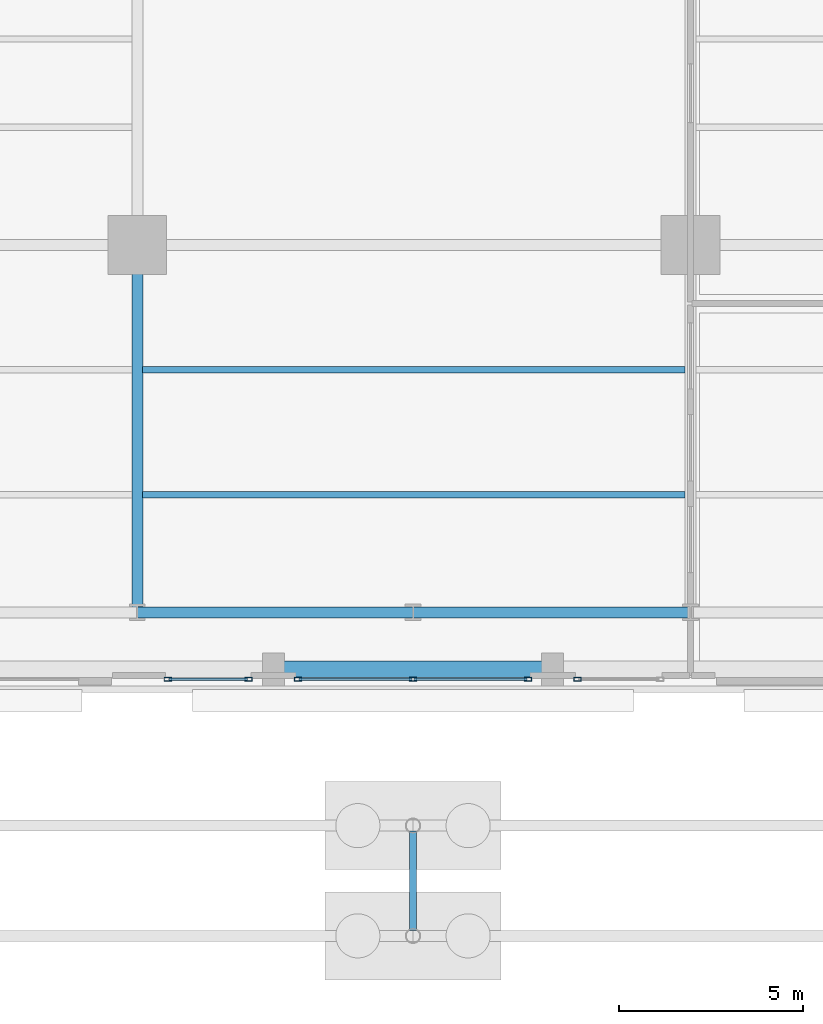
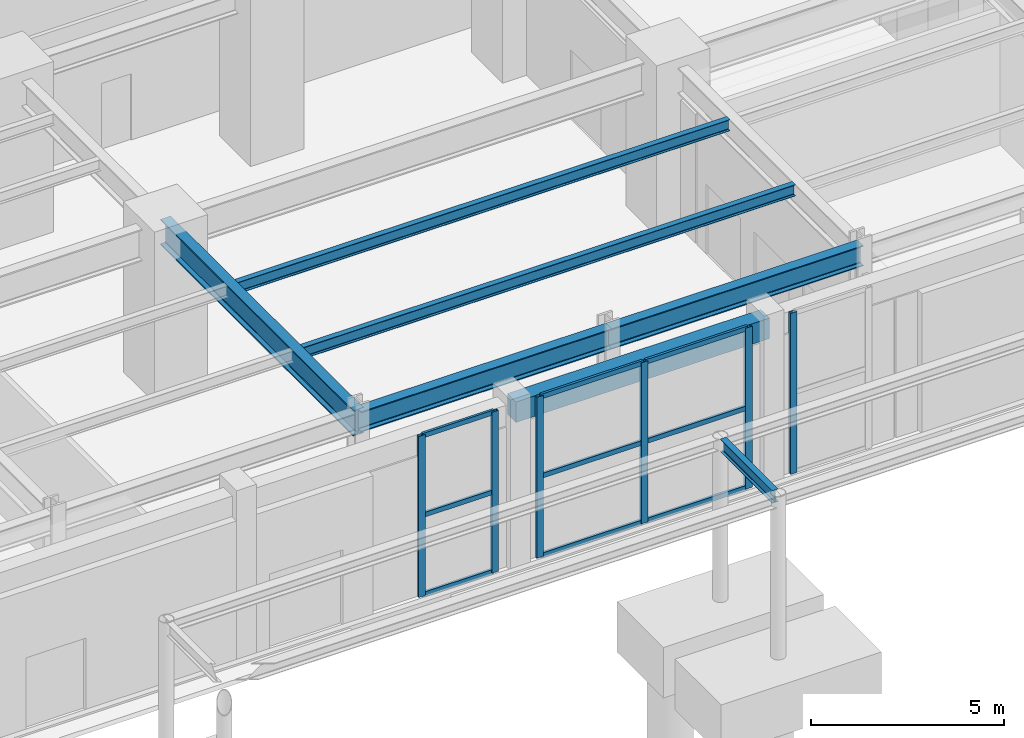
# One storey, part 8 of 21: 15 members, 7 beams, 3 elements without a shape of their own.
"""IFC4 building model written with IfcOpenShell, lengths in metres."""

from ifc_helpers import new_model, si_unit, direction, frame, origin, origin_2d, place, context, subcontext, project, spatial, rectangle, hollow_rectangle, i_section, extrude, material, layer, layer_set, material_profile, profile_set, type_object, element, aggregate, save


model = new_model("IFC4")

# Units and contexts
model_context = context("Model", 3, precision=1e-05, world=origin(), true_north=direction((0.0, 1.0)))
body_context = subcontext(model_context, "Body", "Model", "MODEL_VIEW")
ifc_project = project(units=[si_unit("LENGTHUNIT", "METRE"), si_unit("AREAUNIT", "SQUARE_METRE"), si_unit("VOLUMEUNIT", "CUBIC_METRE"), si_unit("PLANEANGLEUNIT", "RADIAN"), si_unit("MASSUNIT", "GRAM", prefix="KILO")], contexts=[model_context])

# Site, building, storey
site_placement = place(None, origin())
site = spatial("IfcSite", under=ifc_project, at=site_placement, CompositionType="ELEMENT")
building_placement = place(site_placement, origin())
building = spatial("IfcBuilding", under=site, at=building_placement, Name="Zarnavel Station Tower", CompositionType="ELEMENT")
storey_placement = place(building_placement, origin())
storey = spatial("IfcBuildingStorey", under=building, at=storey_placement, Name="L01", CompositionType="ELEMENT", Elevation=0.0)

# Curtain wall, members
ifc_material_1 = material(Name="Aluminium Dark Anodised and Solar-Control Glass", Category="aluminium")
ifc_layer = layer(ifc_material_1, 0.179931640625)
ifc_layer_set = layer_set([ifc_layer], Name="CWS1")
curtain_wall_type = type_object("IfcCurtainWallType", Name="CWS1", PredefinedType="NOTDEFINED", material=ifc_layer_set)
curtain_wall_1_placement = place(storey_placement, origin())
curtain_wall_1 = element("IfcCurtainWall", 1, at=curtain_wall_1_placement, inside=storey, type_object=curtain_wall_type, Name="L01 Curtain Wall CWS1-L01-S-S1", PredefinedType="NOTDEFINED")
ifc_material_2 = material(Name="Steel S355J2 (Black Fluoropolymer Coated)", Category="steel")
ifc_material_profile_1 = material_profile(ifc_material_2, hollow_rectangle(XDim=0.10009765625, YDim=0.199951171875, WallThickness=0.008056640625, at=origin_2d()), Name="RHS200x100x8")
ifc_profile_set_1 = profile_set([ifc_material_profile_1], Name="Steel S355J2 (Black Fluoropolymer Coated)")
member_type_1 = type_object("IfcMemberType", Name="CWS1_MUL", PredefinedType="MULLION", material=ifc_profile_set_1)
member_1_placement = place(storey_placement, frame((22.1298828125, 3.780029296875, 0.0), z_axis=(0.0, 0.0, 1.0), x_axis=(0.0, 1.0, 0.0)))
member_1 = element("IfcMember", 2, at=member_1_placement, type_object=member_type_1, Name="CW1 mullion 1", PredefinedType="MULLION", context=body_context, shape_type="SweptSolid", body=[
    extrude(hollow_rectangle(XDim=0.10009765625, YDim=0.199951171875, WallThickness=0.008056640625, at=origin_2d()), origin(), (0.0, 0.0, 1.0), 5.10009765625),
])
member_2_placement = place(storey_placement, frame((24.325927734375, 3.780029296875, 0.0), z_axis=(0.0, 0.0, 1.0), x_axis=(0.0, 1.0, 0.0)))
member_2 = element("IfcMember", 3, at=member_2_placement, type_object=member_type_1, Name="CW1 mullion 2", PredefinedType="MULLION", context=body_context, shape_type="SweptSolid", body=[
    extrude(hollow_rectangle(XDim=0.10009765625, YDim=0.199951171875, WallThickness=0.008056640625, at=origin_2d()), origin(), (0.0, 0.0, 1.0), 5.10009765625),
])

curtain_wall_2_placement = place(storey_placement, origin())
curtain_wall_2 = element("IfcCurtainWall", 4, at=curtain_wall_2_placement, inside=storey, type_object=curtain_wall_type, Name="L01 Curtain Wall CWS1-L01-S-S2", PredefinedType="NOTDEFINED")
member_3_placement = place(storey_placement, frame((25.674072265625, 3.780029296875, 0.0), z_axis=(0.0, 0.0, 1.0), x_axis=(0.0, 1.0, 0.0)))
member_3 = element("IfcMember", 5, at=member_3_placement, type_object=member_type_1, Name="CW1 mullion 1", PredefinedType="MULLION", context=body_context, shape_type="SweptSolid", body=[
    extrude(hollow_rectangle(XDim=0.10009765625, YDim=0.199951171875, WallThickness=0.008056640625, at=origin_2d()), origin(), (0.0, 0.0, 1.0), 5.10009765625),
])
member_4_placement = place(storey_placement, frame((28.800048828125, 3.780029296875, 0.0), z_axis=(0.0, 0.0, 1.0), x_axis=(0.0, 1.0, 0.0)))
member_4 = element("IfcMember", 6, at=member_4_placement, type_object=member_type_1, Name="CW1 mullion 2", PredefinedType="MULLION", context=body_context, shape_type="SweptSolid", body=[
    extrude(hollow_rectangle(XDim=0.10009765625, YDim=0.199951171875, WallThickness=0.008056640625, at=origin_2d()), origin(), (0.0, 0.0, 1.0), 5.10009765625),
])
member_5_placement = place(storey_placement, frame((31.926025390625, 3.780029296875, 0.0), z_axis=(0.0, 0.0, 1.0), x_axis=(0.0, 1.0, 0.0)))
member_5 = element("IfcMember", 7, at=member_5_placement, type_object=member_type_1, Name="CW1 mullion 3", PredefinedType="MULLION", context=body_context, shape_type="SweptSolid", body=[
    extrude(hollow_rectangle(XDim=0.10009765625, YDim=0.199951171875, WallThickness=0.008056640625, at=origin_2d()), origin(), (0.0, 0.0, 1.0), 5.10009765625),
])

# Curtain wall, member
curtain_wall_3_placement = place(storey_placement, origin())
curtain_wall_3 = element("IfcCurtainWall", 8, at=curtain_wall_3_placement, inside=storey, type_object=curtain_wall_type, Name="L01 Curtain Wall CWS1-L01-S-S3", PredefinedType="NOTDEFINED")
member_6_placement = place(storey_placement, frame((33.27392578125, 3.780029296875, 0.0), z_axis=(0.0, 0.0, 1.0), x_axis=(0.0, 1.0, 0.0)))
member_6 = element("IfcMember", 9, at=member_6_placement, type_object=member_type_1, Name="CW1 mullion 1", PredefinedType="MULLION", context=body_context, shape_type="SweptSolid", body=[
    extrude(hollow_rectangle(XDim=0.10009765625, YDim=0.199951171875, WallThickness=0.008056640625, at=origin_2d()), origin(), (0.0, 0.0, 1.0), 5.10009765625),
])
aggregate(curtain_wall_3, [member_6])

# Member
ifc_material_3 = material(Name="Steel S355J2 (Black Fluoropolymer Coated)", Category="steel")
ifc_material_profile_2 = material_profile(ifc_material_3, hollow_rectangle(XDim=0.074951171875, YDim=0.14990234375, WallThickness=0.00634765625, at=origin_2d()), Name="RHS150x75x6.3")
ifc_profile_set_2 = profile_set([ifc_material_profile_2], Name="Steel S355J2 (Black Fluoropolymer Coated)")
member_type_2 = type_object("IfcMemberType", Name="CWS1_TRN", PredefinedType="USERDEFINED", material=ifc_profile_set_2)
member_7_placement = place(storey_placement, frame((22.159912109375, 3.780029296875, 0.030029296875), z_axis=(1.0, 0.0, 0.0), x_axis=(0.0, 1.0, 0.0)))
member_7 = element("IfcMember", 10, at=member_7_placement, type_object=member_type_2, Name="CW1 transom 1.1", ObjectType="TRANSOM", PredefinedType="USERDEFINED", context=body_context, shape_type="SweptSolid", body=[
    extrude(hollow_rectangle(XDim=0.074951171875, YDim=0.14990234375, WallThickness=0.00634765625, at=origin_2d()), origin(), (0.0, 0.0, 1.0), 2.135986328125),
])

member_8_placement = place(storey_placement, frame((22.159912109375, 3.780029296875, 2.550048828125), z_axis=(1.0, 0.0, 0.0), x_axis=(0.0, 1.0, 0.0)))
member_8 = element("IfcMember", 11, at=member_8_placement, type_object=member_type_2, Name="CW1 transom 1.2", ObjectType="TRANSOM", PredefinedType="USERDEFINED", context=body_context, shape_type="SweptSolid", body=[
    extrude(hollow_rectangle(XDim=0.074951171875, YDim=0.14990234375, WallThickness=0.00634765625, at=origin_2d()), origin(), (0.0, 0.0, 1.0), 2.135986328125),
])

member_9_placement = place(storey_placement, frame((22.159912109375, 3.780029296875, 5.070068359375), z_axis=(1.0, 0.0, 0.0), x_axis=(0.0, 1.0, 0.0)))
member_9 = element("IfcMember", 12, at=member_9_placement, type_object=member_type_2, Name="CW1 transom 1.3", ObjectType="TRANSOM", PredefinedType="USERDEFINED", context=body_context, shape_type="SweptSolid", body=[
    extrude(hollow_rectangle(XDim=0.074951171875, YDim=0.14990234375, WallThickness=0.00634765625, at=origin_2d()), origin(), (0.0, 0.0, 1.0), 2.135986328125),
])

aggregate(curtain_wall_1, [member_1, member_2, member_7, member_8, member_9])

member_10_placement = place(storey_placement, frame((25.7041015625, 3.780029296875, 0.030029296875), z_axis=(1.0, 0.0, 0.0), x_axis=(0.0, 1.0, 0.0)))
member_10 = element("IfcMember", 13, at=member_10_placement, type_object=member_type_2, Name="CW1 transom 1.1", ObjectType="TRANSOM", PredefinedType="USERDEFINED", context=body_context, shape_type="SweptSolid", body=[
    extrude(hollow_rectangle(XDim=0.074951171875, YDim=0.14990234375, WallThickness=0.00634765625, at=origin_2d()), origin(), (0.0, 0.0, 1.0), 3.06591796875),
])

member_11_placement = place(storey_placement, frame((25.7041015625, 3.780029296875, 2.550048828125), z_axis=(1.0, 0.0, 0.0), x_axis=(0.0, 1.0, 0.0)))
member_11 = element("IfcMember", 14, at=member_11_placement, type_object=member_type_2, Name="CW1 transom 1.2", ObjectType="TRANSOM", PredefinedType="USERDEFINED", context=body_context, shape_type="SweptSolid", body=[
    extrude(hollow_rectangle(XDim=0.074951171875, YDim=0.14990234375, WallThickness=0.00634765625, at=origin_2d()), origin(), (0.0, 0.0, 1.0), 3.06591796875),
])

member_12_placement = place(storey_placement, frame((25.7041015625, 3.780029296875, 5.070068359375), z_axis=(1.0, 0.0, 0.0), x_axis=(0.0, 1.0, 0.0)))
member_12 = element("IfcMember", 15, at=member_12_placement, type_object=member_type_2, Name="CW1 transom 1.3", ObjectType="TRANSOM", PredefinedType="USERDEFINED", context=body_context, shape_type="SweptSolid", body=[
    extrude(hollow_rectangle(XDim=0.074951171875, YDim=0.14990234375, WallThickness=0.00634765625, at=origin_2d()), origin(), (0.0, 0.0, 1.0), 3.06591796875),
])

member_13_placement = place(storey_placement, frame((28.830078125, 3.780029296875, 0.030029296875), z_axis=(1.0, 0.0, 0.0), x_axis=(0.0, 1.0, 0.0)))
member_13 = element("IfcMember", 16, at=member_13_placement, type_object=member_type_2, Name="CW1 transom 2.1", ObjectType="TRANSOM", PredefinedType="USERDEFINED", context=body_context, shape_type="SweptSolid", body=[
    extrude(hollow_rectangle(XDim=0.074951171875, YDim=0.14990234375, WallThickness=0.00634765625, at=origin_2d()), origin(), (0.0, 0.0, 1.0), 3.06591796875),
])

member_14_placement = place(storey_placement, frame((28.830078125, 3.780029296875, 2.550048828125), z_axis=(1.0, 0.0, 0.0), x_axis=(0.0, 1.0, 0.0)))
member_14 = element("IfcMember", 17, at=member_14_placement, type_object=member_type_2, Name="CW1 transom 2.2", ObjectType="TRANSOM", PredefinedType="USERDEFINED", context=body_context, shape_type="SweptSolid", body=[
    extrude(hollow_rectangle(XDim=0.074951171875, YDim=0.14990234375, WallThickness=0.00634765625, at=origin_2d()), origin(), (0.0, 0.0, 1.0), 3.06591796875),
])

member_15_placement = place(storey_placement, frame((28.830078125, 3.780029296875, 5.070068359375), z_axis=(1.0, 0.0, 0.0), x_axis=(0.0, 1.0, 0.0)))
member_15 = element("IfcMember", 18, at=member_15_placement, type_object=member_type_2, Name="CW1 transom 2.3", ObjectType="TRANSOM", PredefinedType="USERDEFINED", context=body_context, shape_type="SweptSolid", body=[
    extrude(hollow_rectangle(XDim=0.074951171875, YDim=0.14990234375, WallThickness=0.00634765625, at=origin_2d()), origin(), (0.0, 0.0, 1.0), 3.06591796875),
])

aggregate(curtain_wall_2, [member_3, member_4, member_5, member_10, member_11, member_12, member_13, member_14, member_15])

# Beams
ifc_material_4 = material(Name="Steel S355J2", Category="steel")
ifc_material_profile_3 = material_profile(ifc_material_4, i_section(OverallWidth=0.179931640625, OverallDepth=0.39990234375, WebThickness=0.008544921875, FlangeThickness=0.013427734375, FilletRadius=0.02099609375, at=origin_2d()), Name="IPE400")
ifc_profile_set_3 = profile_set([ifc_material_profile_3], Name="Steel S355J2")
beam_type_1 = type_object("IfcBeamType", Name="FB_IPE400", PredefinedType="BEAM", material=ifc_profile_set_3)
beam_1_placement = place(storey_placement, frame((28.800048828125, -3.054931640625, 4.9599609375), z_axis=(0.0, 1.0, 0.0), x_axis=(-1.0, 0.0, 0.0)))
element("IfcBeam", 19, at=beam_1_placement, inside=storey, type_object=beam_type_1, Name="Station Portal Tie Beam 02", PredefinedType="BEAM", context=body_context, shape_type="SweptSolid", body=[
    extrude(i_section(OverallWidth=0.179931640625, OverallDepth=0.39990234375, WebThickness=0.008544921875, FlangeThickness=0.013427734375, FilletRadius=0.02099609375, at=origin_2d()), origin(), (0.0, 0.0, 1.0), 2.7099609375),
])
ifc_material_5 = material(Name="Steel S355J2", Category="steel")
ifc_material_profile_4 = material_profile(ifc_material_5, i_section(OverallWidth=0.300048828125, OverallDepth=0.64990234375, WebThickness=0.01611328125, FlangeThickness=0.031005859375, FilletRadius=0.027099609375, at=origin_2d()), Name="HEB650")
ifc_profile_set_4 = profile_set([ifc_material_profile_4], Name="Steel S355J2")
beam_type_2 = type_object("IfcBeamType", Name="FG_HEB650", PredefinedType="USERDEFINED", material=ifc_profile_set_4)
beam_2_placement = place(storey_placement, frame((21.300048828125, 5.60009765625, 4.77490234375), z_axis=(1.0, 0.0, 0.0), x_axis=(0.0, 1.0, 0.0)))
element("IfcBeam", 20, at=beam_2_placement, inside=storey, type_object=beam_type_2, Name="L01 EW Frame Girder 1-5", ObjectType="GIRDER", PredefinedType="USERDEFINED", context=body_context, shape_type="SweptSolid", body=[
    extrude(i_section(OverallWidth=0.300048828125, OverallDepth=0.64990234375, WebThickness=0.01611328125, FlangeThickness=0.031005859375, FilletRadius=0.027099609375, at=origin_2d()), origin(), (0.0, 0.0, 1.0), 7.5),
])
beam_3_placement = place(storey_placement, frame((28.800048828125, 5.60009765625, 4.77490234375), z_axis=(1.0, 0.0, 0.0), x_axis=(0.0, 1.0, 0.0)))
element("IfcBeam", 21, at=beam_3_placement, inside=storey, type_object=beam_type_2, Name="L01 EW Frame Girder 1-6", ObjectType="GIRDER", PredefinedType="USERDEFINED", context=body_context, shape_type="SweptSolid", body=[
    extrude(i_section(OverallWidth=0.300048828125, OverallDepth=0.64990234375, WebThickness=0.01611328125, FlangeThickness=0.031005859375, FilletRadius=0.027099609375, at=origin_2d()), origin(), (0.0, 0.0, 1.0), 7.550048828125),
])
ifc_material_6 = material(Name="Steel S460M", Category="steel")
ifc_material_profile_5 = material_profile(ifc_material_6, i_section(OverallWidth=0.302978515625, OverallDepth=0.81396484375, WebThickness=0.02099609375, FlangeThickness=0.0400390625, FilletRadius=0.030029296875, at=origin_2d()), Name="HEM800")
ifc_profile_set_5 = profile_set([ifc_material_profile_5], Name="Steel S460M")
beam_type_3 = type_object("IfcBeamType", Name="FG_HEM800", PredefinedType="USERDEFINED", material=ifc_profile_set_5)
beam_4_placement = place(storey_placement, frame((21.300048828125, 5.60009765625, 4.693115234375), z_axis=(0.0, 1.0, 0.0), x_axis=(-1.0, 0.0, 0.0)))
element("IfcBeam", 22, at=beam_4_placement, inside=storey, type_object=beam_type_3, Name="L01 NS Girder South 2", ObjectType="GIRDER", PredefinedType="USERDEFINED", context=body_context, shape_type="SweptSolid", body=[
    extrude(i_section(OverallWidth=0.302978515625, OverallDepth=0.81396484375, WebThickness=0.02099609375, FlangeThickness=0.0400390625, FilletRadius=0.030029296875, at=origin_2d()), origin(), (0.0, 0.0, 1.0), 10.0),
])
ifc_material_7 = material(Name="Steel S355J2", Category="steel")
ifc_material_profile_6 = material_profile(ifc_material_7, i_section(OverallWidth=0.169921875, OverallDepth=0.360107421875, WebThickness=0.008056640625, FlangeThickness=0.0126953125, FilletRadius=0.01806640625, at=origin_2d()), Name="IPE360")
ifc_profile_set_6 = profile_set([ifc_material_profile_6], Name="Steel S355J2")
beam_type_4 = type_object("IfcBeamType", Name="FJ_IPE360", PredefinedType="JOIST", material=ifc_profile_set_6)
for number, where, z_axis, x_axis, name in (
    (23, (21.445068359375, 8.800048828125, 4.919921875), (1.0, 0.0, 0.0), (0.0, 1.0, 0.0), "L01 Floor Joist M1"),
    (24, (21.445068359375, 12.199951171875, 4.919921875), (1.0, 0.0, 0.0), (0.0, 1.0, 0.0), "L01 Floor Joist M2"),
):
    element("IfcBeam", number, at=place(storey_placement, frame(where, z_axis=z_axis, x_axis=x_axis)), inside=storey, type_object=beam_type_4, Name=name, PredefinedType="JOIST", context=body_context, shape_type="SweptSolid", body=[
        extrude(i_section(OverallWidth=0.169921875, OverallDepth=0.360107421875, WebThickness=0.008056640625, FlangeThickness=0.0126953125, FilletRadius=0.01806640625, at=origin_2d()), origin(), (0.0, 0.0, 1.0), 14.760009765625),
    ])
ifc_material_8 = material(Name="Precast concrete C45/55", Category="concrete")
ifc_material_profile_7 = material_profile(ifc_material_8, rectangle(XDim=0.449951171875, YDim=0.64990234375, at=origin_2d()), Name="RC450x650")
ifc_profile_set_7 = profile_set([ifc_material_profile_7], Name="Precast concrete C45/55")
beam_type_5 = type_object("IfcBeamType", Name="LN_RC450x650", PredefinedType="LINTEL", material=ifc_profile_set_7)
beam_5_placement = place(storey_placement, frame((25.0, 4.050048828125, 4.77490234375), z_axis=(1.0, 0.0, 0.0), x_axis=(0.0, 1.0, 0.0)))
element("IfcBeam", 25, at=beam_5_placement, inside=storey, type_object=beam_type_5, Name="L01 Portal Arcade Lintel 3", PredefinedType="LINTEL", context=body_context, shape_type="SweptSolid", body=[
    extrude(rectangle(XDim=0.449951171875, YDim=0.64990234375, at=origin_2d()), origin(), (0.0, 0.0, 1.0), 7.60009765625),
])

save(model, "model.ifc")
